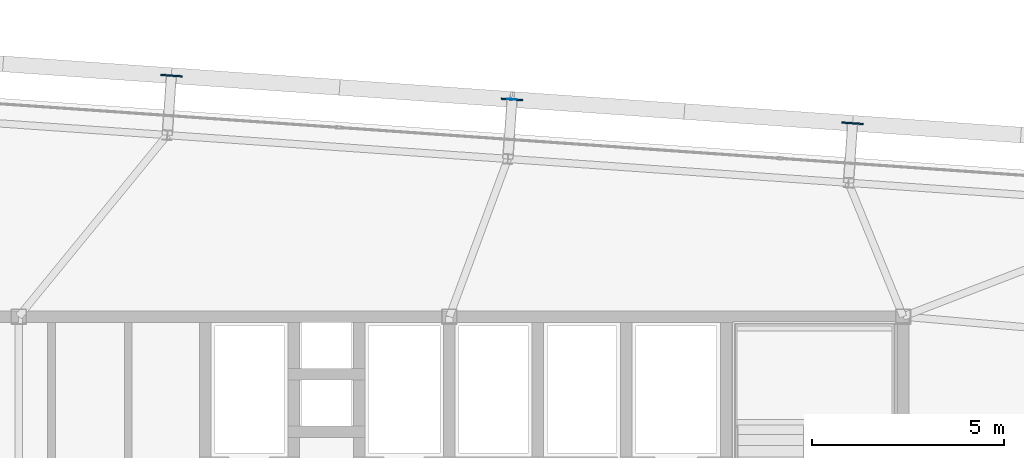
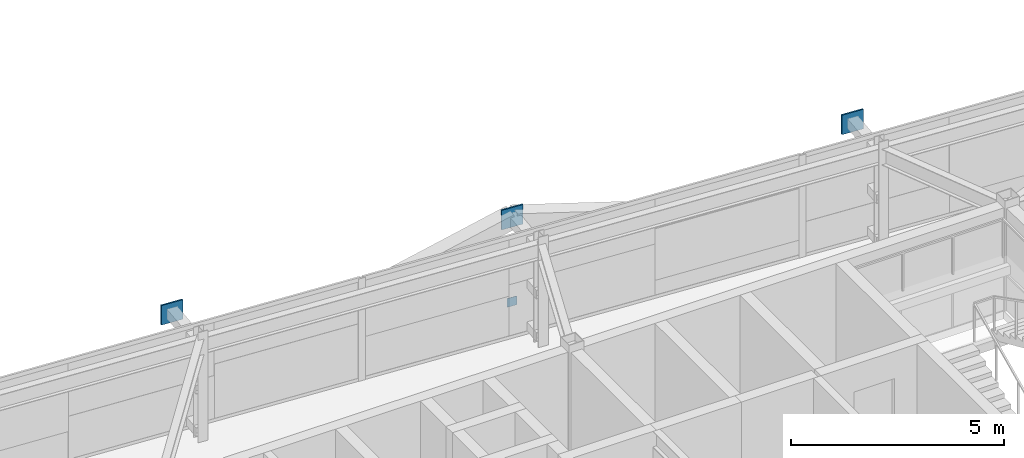
# One storey, part 33 of 39: 4 plates.
"""IFC4 building model written with IfcOpenShell, lengths in metres."""

from ifc_helpers import new_model, si_unit, direction, frame, origin, origin_2d, place, context, subcontext, project, spatial, rectangle, extrude, source, transform, mapped, material, layer, layer_set, type_object, element, save


model = new_model("IFC4")

# Units and contexts
model_context = context("Model", 3, precision=1e-05, world=origin(), true_north=direction((0.0, 1.0)))
body_context = subcontext(model_context, "Body", "Model", "MODEL_VIEW")
ifc_project = project(units=[si_unit("LENGTHUNIT", "METRE"), si_unit("AREAUNIT", "SQUARE_METRE"), si_unit("VOLUMEUNIT", "CUBIC_METRE"), si_unit("PLANEANGLEUNIT", "RADIAN"), si_unit("MASSUNIT", "GRAM", prefix="KILO")], contexts=[model_context])

# Site, building, storey
site_placement = place(None, origin())
site = spatial("IfcSite", under=ifc_project, at=site_placement, CompositionType="ELEMENT")
building_placement = place(site_placement, origin())
building = spatial("IfcBuilding", under=site, at=building_placement, Name="Taldren Reach Tower", CompositionType="ELEMENT")
storey_placement = place(building_placement, frame((0.0, 0.0, 151.89990234375)))
storey = spatial("IfcBuildingStorey", under=building, at=storey_placement, Name="L46", CompositionType="ELEMENT", Elevation=151.89990234375)

# Plates
ifc_material_1 = material(Name="Steel Gr 450 (C450L0)", Category="steel")
ifc_layer_1 = layer(ifc_material_1, 0.0400390625)
ifc_layer_set_1 = layer_set([ifc_layer_1], Name="Steel Gr 450 (C450L0)")
plate_type_1 = type_object("IfcPlateType", Name="PL-GUSSET-40", PredefinedType="SHEET", material=ifc_layer_set_1)
shared_shape_1 = source(origin(), body_context, "Body", "SweptSolid", [
    extrude(rectangle(XDim=0.56005859375, YDim=0.0400390625, at=origin_2d()), origin(), (0.0, 0.0, 1.0), 0.56005859375),
])
for number, where, z_axis, x_axis, name in (
    (1, (31.969482421875, 38.26611328125, 2.3701171875), (0.0, 0.0, 1.0), (0.99756405026, -0.069756473744, 0.0), "Exoskeleton star-node gusset plate B3-N3 L46"),
    (2, (40.827880859375, 37.646728515625, 2.3701171875), (0.0, 0.0, 1.0), (0.99756405026, -0.069756473744, 0.0), "Exoskeleton star-node gusset plate B3-N4 L46"),
    (3, (49.686279296875, 37.02734375, 2.3701171875), (0.0, 0.0, 1.0), (0.99756405026, -0.069756473744, 0.0), "Exoskeleton star-node gusset plate B3-N5 L46"),
):
    element("IfcPlate", number, at=place(storey_placement, frame(where, z_axis=z_axis, x_axis=x_axis)), inside=storey, type_object=plate_type_1, Name=name, PredefinedType="SHEET", context=body_context, shape_type="MappedRepresentation", body=[
        mapped(shared_shape_1, transform((0.0, 0.0, 0.0), scale=1.0)),
    ])
ifc_material_2 = material(Name="Steel Gr 350 (C350L0)", Category="steel")
ifc_layer_2 = layer(ifc_material_2, 0.011962890625)
ifc_layer_set_2 = layer_set([ifc_layer_2], Name="Steel Gr 350 (C350L0)")
plate_type_2 = type_object("IfcPlateType", Name="PL-CAP-250", PredefinedType="SHEET", material=ifc_layer_set_2)
shared_shape_2 = source(origin(), body_context, "Body", "SweptSolid", [
    extrude(rectangle(XDim=0.25, YDim=0.011962890625, at=origin_2d()), origin(), (0.0, 0.0, 1.0), 0.25),
])
plate_placement = place(storey_placement, frame((40.828125, 37.652587890625, 0.09521484375), z_axis=(0.0, 0.0, 1.0), x_axis=(0.99756405026, -0.069756473744, 0.0)))
element("IfcPlate", 4, at=plate_placement, inside=storey, type_object=plate_type_2, Name="Tie strut end cap plate B3-N4 L46", PredefinedType="SHEET", context=body_context, shape_type="MappedRepresentation", body=[
    mapped(shared_shape_2, transform((0.0, 0.0, 0.0), scale=1.0)),
])

save(model, "model.ifc")
